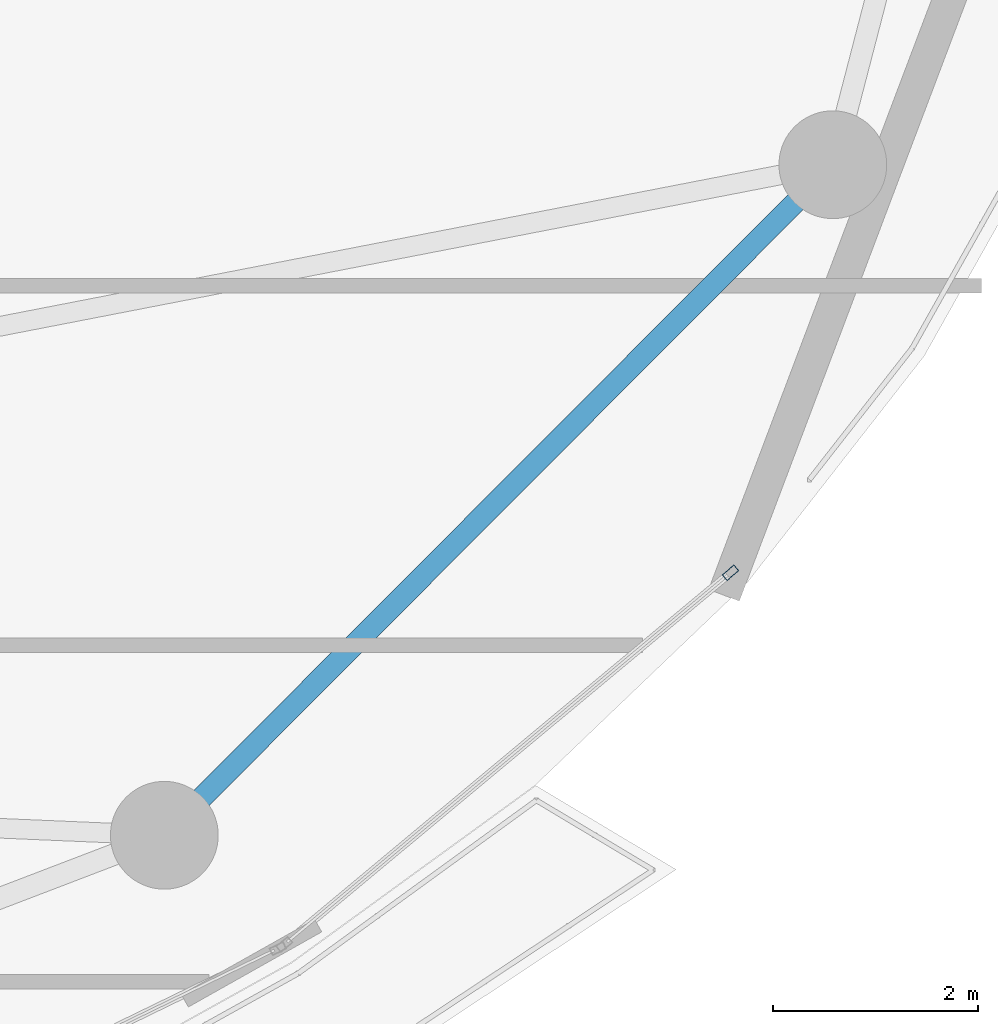
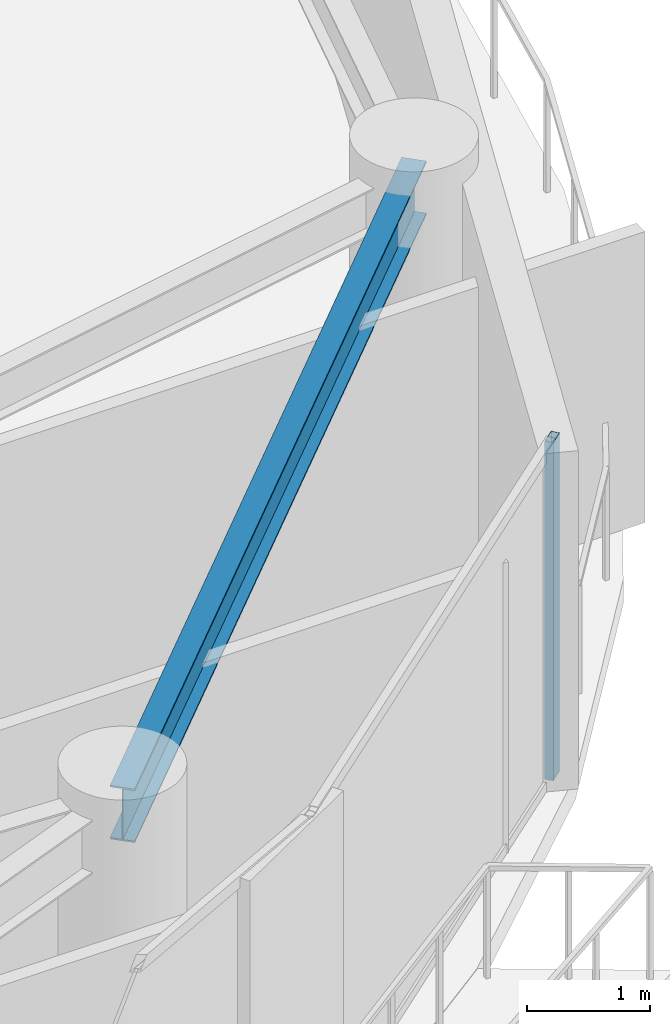
# One storey, part 13 of 28: 1 beam, 1 member, 1 element without a shape of its own.
"""IFC4 building model written with IfcOpenShell, lengths in metres."""

from ifc_helpers import new_model, si_unit, direction, frame, origin, origin_2d, place, context, subcontext, project, spatial, hollow_rectangle, i_section, extrude, material, layer, layer_set, material_profile, profile_set, type_object, element, aggregate, save


model = new_model("IFC4")

# Units and contexts
model_context = context("Model", 3, precision=1e-05, world=origin(), true_north=direction((0.0, 1.0)))
body_context = subcontext(model_context, "Body", "Model", "MODEL_VIEW")
ifc_project = project(units=[si_unit("LENGTHUNIT", "METRE"), si_unit("AREAUNIT", "SQUARE_METRE"), si_unit("VOLUMEUNIT", "CUBIC_METRE"), si_unit("PLANEANGLEUNIT", "RADIAN"), si_unit("MASSUNIT", "GRAM", prefix="KILO")], contexts=[model_context])

# Site, building, storey
site_placement = place(None, origin())
site = spatial("IfcSite", under=ifc_project, at=site_placement, CompositionType="ELEMENT")
building_placement = place(site_placement, origin())
building = spatial("IfcBuilding", under=site, at=building_placement, Name="Kazevale Care Tower and Concert Hall", CompositionType="ELEMENT")
storey_placement = place(building_placement, frame((0.0, 0.0, 231.60009765625)))
storey = spatial("IfcBuildingStorey", under=building, at=storey_placement, Name="L61", CompositionType="ELEMENT", Elevation=231.60009765625)

# Curtain wall, member
ifc_material_1 = material(Name="Aluminium 6063-T6 and Low-E Glass", Category="aluminium")
ifc_layer = layer(ifc_material_1, 0.179931640625)
ifc_layer_set = layer_set([ifc_layer], Name="Aluminium 6063-T6 and Low-E Glass")
curtain_wall_type = type_object("IfcCurtainWallType", Name="Sheltered Concave Balcony Curtain Wall CW-5", PredefinedType="NOTDEFINED", material=ifc_layer_set)
curtain_wall_placement = place(storey_placement, origin())
curtain_wall = element("IfcCurtainWall", 1, at=curtain_wall_placement, inside=storey, type_object=curtain_wall_type, Name="cw:L61:f02", PredefinedType="NOTDEFINED")
ifc_material_2 = material(Name="Aluminium 6063-T6", Category="aluminium")
ifc_material_profile_1 = material_profile(ifc_material_2, hollow_rectangle(XDim=0.074951171875, YDim=0.14990234375, WallThickness=0.00390625, at=origin_2d()), Name="ALU75x150x4")
ifc_profile_set_1 = profile_set([ifc_material_profile_1], Name="Aluminium 6063-T6")
member_type = type_object("IfcMemberType", Name="CW-5 Mullion ALU75x150x4", PredefinedType="MULLION", material=ifc_profile_set_1)
member_placement = place(storey_placement, frame((71.76318359375, 25.2060546875, 0.0), z_axis=(0.0, 0.0, 1.0), x_axis=(0.639961217204, -0.768407210062, 0.0)))
member = element("IfcMember", 2, at=member_placement, type_object=member_type, Name="CW-5 mullion 1", PredefinedType="MULLION", context=body_context, shape_type="SweptSolid", body=[
    extrude(hollow_rectangle(XDim=0.074951171875, YDim=0.14990234375, WallThickness=0.00390625, at=origin_2d()), origin(), (0.0, 0.0, 1.0), 3.35986328125),
])
aggregate(curtain_wall, [member])

# Beam
ifc_material_3 = material(Name="Steel ASTM A572 Gr 50", Category="steel")
ifc_material_profile_2 = material_profile(ifc_material_3, i_section(OverallWidth=0.208984375, OverallDepth=0.532958984375, WebThickness=0.01025390625, FlangeThickness=0.015625, at=origin_2d()), Name="W530x92")
ifc_profile_set_2 = profile_set([ifc_material_profile_2], Name="Steel ASTM A572 Gr 50")
beam_type = type_object("IfcBeamType", Name="Upper Ring Beam W530x92", PredefinedType="BEAM", material=ifc_profile_set_2)
beam_placement = place(storey_placement, frame((66.25, 22.64990234375, 3.093505859375), z_axis=(0.706020373708, 0.708191522054, 0.0), x_axis=(-0.708191522054, 0.706020373708, 0.0)))
element("IfcBeam", 3, at=beam_placement, inside=storey, type_object=beam_type, Name="beam:L61:ring:15", PredefinedType="BEAM", context=body_context, shape_type="SweptSolid", body=[
    extrude(i_section(OverallWidth=0.208984375, OverallDepth=0.532958984375, WebThickness=0.01025390625, FlangeThickness=0.015625, at=origin_2d()), origin(), (0.0, 0.0, 1.0), 9.220703125),
])

save(model, "model.ifc")
